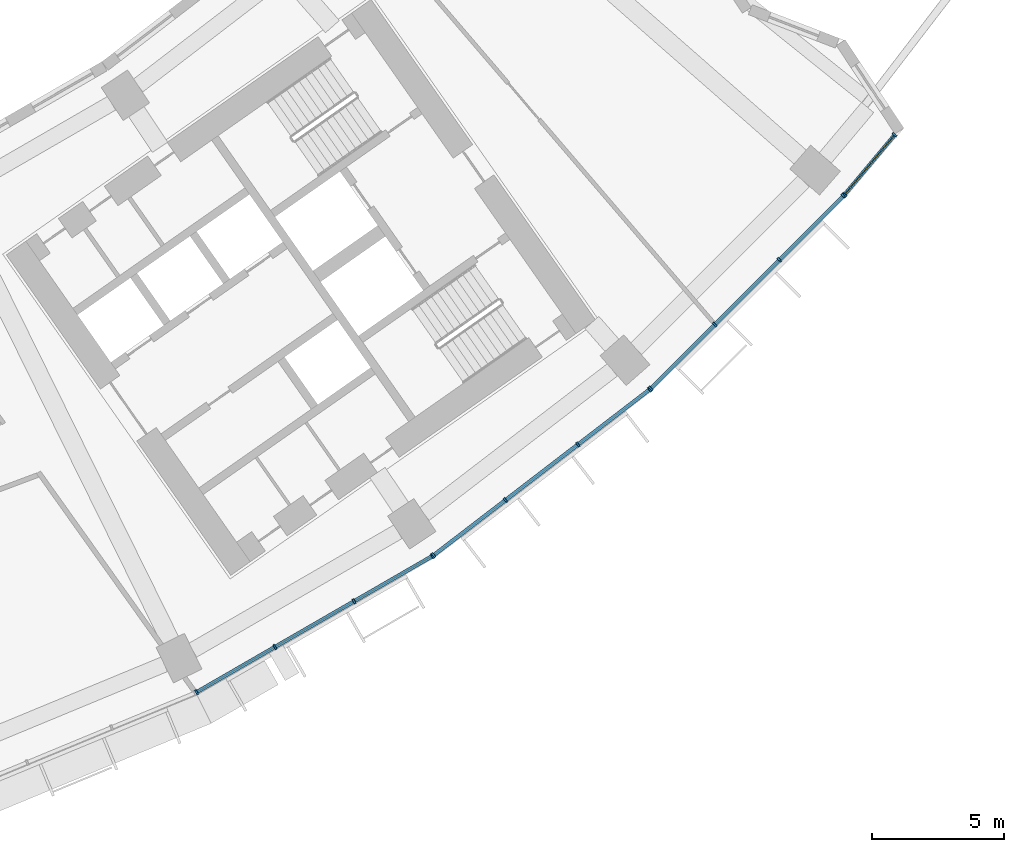
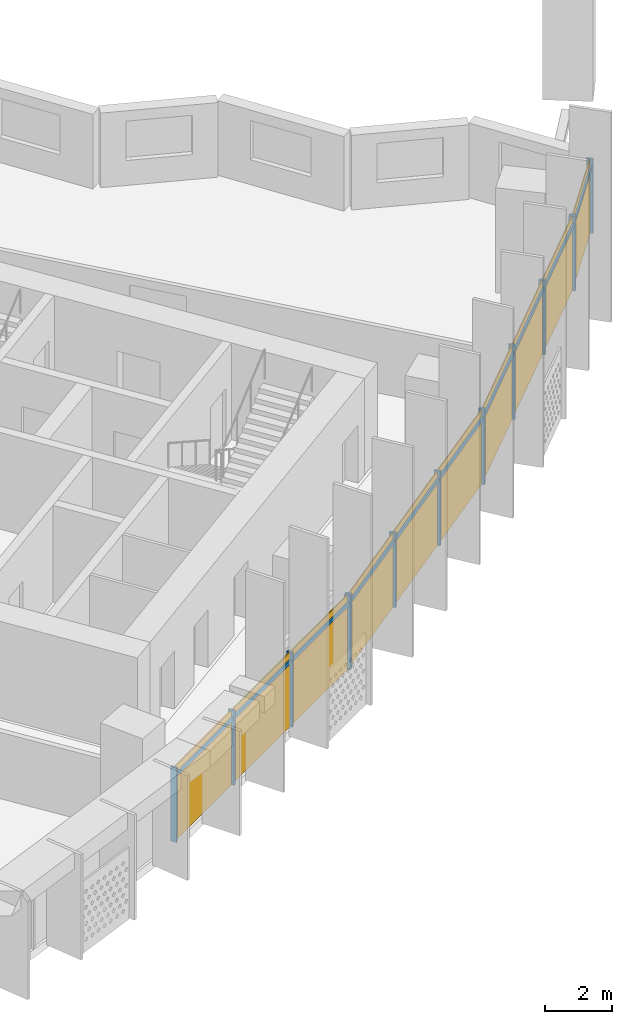
# One storey, part 21 of 29: 24 members, 4 curtain walls.
"""IFC4 building model written with IfcOpenShell, lengths in metres."""

import ifcopenshell
import ifcopenshell.guid

model = None  # the IFC model being written
_history = None  # IfcOwnerHistory: only IFC2X3 demands one
_inside = {}  # id of a spatial element -> (the spatial element, [elements in it])
_under = {}  # id of a project, library or spatial element -> (it, [spatial elements below it])
_declared = {}  # id of a project -> (the project, [libraries it declares])
_typed = {}  # id of a type object -> (the type object, [elements of that type])
_made_of = {}  # id of a material, layer set ... -> (it, [elements and type objects made of it])


def new_model(schema):
    """Start an empty IFC model of exactly this schema.

    Asked for "IFC4X3", IfcOpenShell would pick the latest addendum, in which some entities
    have other attributes; the version numbers below select the first issue.
    IFC2X3 requires an IfcOwnerHistory on every rooted entity: one is made here for all.
    """
    global model, _history
    if schema == "IFC4X3":
        model = ifcopenshell.file(schema_version=(4, 3, 0, 0))
    else:
        model = ifcopenshell.file(schema=schema)
    _inside.clear()
    _under.clear()
    _declared.clear()
    _typed.clear()
    _made_of.clear()
    _history = None
    if model.schema == "IFC2X3":
        org = make("IfcOrganization", Name="unknown")
        user = make(
            "IfcPersonAndOrganization",
            ThePerson=make("IfcPerson", FamilyName="unknown"),
            TheOrganization=org,
        )
        app = make(
            "IfcApplication",
            ApplicationDeveloper=org,
            Version="unknown",
            ApplicationFullName="unknown",
            ApplicationIdentifier="unknown",
        )
        _history = make(
            "IfcOwnerHistory",
            OwningUser=user,
            OwningApplication=app,
            ChangeAction="ADDED",
            CreationDate=0,
        )
    return model


def make(cls, **values):
    """One entity of the class cls with the attributes given. An attribute that is None is left unset."""
    return model.create_entity(
        cls, **{name: value for name, value in values.items() if value is not None}
    )


def rooted(cls, **values):
    """An entity with a GlobalId (a new one), such as an element, a storey or a relation."""
    return make(cls, GlobalId=ifcopenshell.guid.new(), OwnerHistory=_history, **values)


def si_unit(unit_type, name, prefix=None):
    """IfcSIUnit, for example si_unit("LENGTHUNIT", "METRE", prefix="MILLI")."""
    return make("IfcSIUnit", UnitType=unit_type, Prefix=prefix, Name=name)


def assignment(units):
    """IfcUnitAssignment: the units of a project."""
    return None if units is None else make("IfcUnitAssignment", Units=units)


def point(xyz):
    """IfcCartesianPoint."""
    return None if xyz is None else make("IfcCartesianPoint", Coordinates=xyz)


def direction(xyz):
    """IfcDirection."""
    return None if xyz is None else make("IfcDirection", DirectionRatios=xyz)


def frame(location, z_axis=None, x_axis=None):
    """IfcAxis2Placement3D, a coordinate frame: its origin and axes. An axis left out is left unset."""
    return make(
        "IfcAxis2Placement3D",
        Location=point(location),
        Axis=direction(z_axis),
        RefDirection=direction(x_axis),
    )


def frame_2d(location, x_axis=None):
    """IfcAxis2Placement2D, a coordinate frame in the plane: its origin and x axis."""
    return make(
        "IfcAxis2Placement2D", Location=point(location), RefDirection=direction(x_axis)
    )


def origin():
    """The frame at (0, 0, 0) with its axes left unset."""
    return frame((0.0, 0.0, 0.0))


def origin_2d():
    """The frame at (0, 0) in the plane with its x axis left unset."""
    return frame_2d((0.0, 0.0))


def place(relative_to, where):
    """IfcLocalPlacement: puts the frame where relative to a parent placement (None: the world)."""
    return make(
        "IfcLocalPlacement", PlacementRelTo=relative_to, RelativePlacement=where
    )


def context(
    kind, dimensions, precision=None, world=None, true_north=None, identifier=None
):
    """IfcGeometricRepresentationContext, for example the 3D "Model" context."""
    return make(
        "IfcGeometricRepresentationContext",
        ContextIdentifier=identifier,
        ContextType=kind,
        CoordinateSpaceDimension=dimensions,
        Precision=precision,
        WorldCoordinateSystem=world,
        TrueNorth=true_north,
    )


def subcontext(parent, identifier, kind, view, scale=None):
    """IfcGeometricRepresentationSubContext, for example "Body" below "Model"."""
    return make(
        "IfcGeometricRepresentationSubContext",
        ContextIdentifier=identifier,
        ContextType=kind,
        ParentContext=parent,
        TargetScale=scale,
        TargetView=view,
    )


def project(units=None, contexts=None):
    """IfcProject with its units and contexts."""
    return rooted(
        "IfcProject",
        Name="project",
        RepresentationContexts=contexts,
        UnitsInContext=assignment(units),
    )


def spatial(cls, under=None, at=None, **own):
    """A site, building, storey or space (cls), placed at a placement, below another one or the project."""
    s = rooted(cls, ObjectPlacement=at, **own)
    if under is not None:
        _under.setdefault(under.id(), (under, []))[1].append(s)
    return s


def profile(cls, at=None, kind="AREA", **sizes):
    """A parametric profile (cls). Its sizes go by their IFC names, for example OverallWidth=200.0."""
    return make(cls, ProfileType=kind, Position=at, **sizes)


def rectangle(**sizes):
    """IfcRectangleProfileDef."""
    return profile("IfcRectangleProfileDef", **sizes)


def extrude(swept, where, along, depth):
    """IfcExtrudedAreaSolid: the profile swept, set in the frame where, extruded along a direction by depth."""
    return make(
        "IfcExtrudedAreaSolid",
        SweptArea=swept,
        Position=where,
        ExtrudedDirection=direction(along),
        Depth=depth,
    )


def shape(context_of_items, identifier, shape_type, items):
    """IfcShapeRepresentation: the items that make up one representation, for example the "Body"."""
    return make(
        "IfcShapeRepresentation",
        ContextOfItems=context_of_items,
        RepresentationIdentifier=identifier,
        RepresentationType=shape_type,
        Items=items,
    )


def material(Name=None, Category=None):
    """IfcMaterial."""
    return make("IfcMaterial", Name=Name, Category=Category)


def material_profile(
    of_material, cross_section, Name=None, Category=None, Priority=None
):
    """IfcMaterialProfile: a cross section and its material."""
    return make(
        "IfcMaterialProfile",
        Name=Name,
        Material=of_material,
        Profile=cross_section,
        Priority=Priority,
        Category=Category,
    )


def profile_set(profiles, Name=None, composite=None):
    """IfcMaterialProfileSet."""
    return make(
        "IfcMaterialProfileSet",
        Name=Name,
        MaterialProfiles=profiles,
        CompositeProfile=composite,
    )


def made_of(thing, what):
    """Note that an element or type object is made of a material, layer set ...; save() writes the relation."""
    if what is not None:
        _made_of.setdefault(what.id(), (what, []))[1].append(thing)
    return thing


def type_object(cls, material=None, **own):
    """A type object (cls), such as IfcWallType, which elements share."""
    return made_of(rooted(cls, **own), material)


def element(
    cls,
    number,
    at=None,
    inside=None,
    cuts=None,
    type_object=None,
    material=None,
    context=None,
    identifier="Body",
    shape_type=None,
    held_by="IfcProductDefinitionShape",
    body=None,
    shapes=None,
    **own,
):
    """One element of the class cls, such as IfcWall. Its Tag is "e" and its number.

    at: its placement. inside: the storey or other place that contains it. cuts: it is an
    opening in that element (IfcRelVoidsElement). A single representation is given by context,
    identifier, shape_type and body (its items); several are given by shapes. held_by: the class
    of the entity that holds the representations. save() writes the other relations.
    """
    e = rooted(cls, Tag="e%d" % number, ObjectPlacement=at, **own)
    if body is not None:
        shapes = [shape(context, identifier, shape_type, body)]
    if shapes is not None:
        e.Representation = make(held_by, Representations=shapes)
    if inside is not None:
        _inside.setdefault(inside.id(), (inside, []))[1].append(e)
    if cuts is not None:
        rooted(
            "IfcRelVoidsElement", RelatingBuildingElement=cuts, RelatedOpeningElement=e
        )
    if type_object is not None:
        _typed.setdefault(type_object.id(), (type_object, []))[1].append(e)
    return made_of(e, material)


def aggregate(whole, parts):
    """IfcRelAggregates: a whole, such as a stair, and the parts it consists of."""
    return rooted("IfcRelAggregates", RelatingObject=whole, RelatedObjects=parts)


def save(model, path):
    """Write the relations noted so far, then the file.

    IfcRelAggregates (storeys below a building ...), IfcRelContainedInSpatialStructure (elements
    in a storey), IfcRelDefinesByType, IfcRelAssociatesMaterial and IfcRelDeclares: one each for
    every whole, place, type object, material and project.
    """
    for whole, parts in _under.values():
        aggregate(whole, parts)
    for where, things in _inside.values():
        rooted(
            "IfcRelContainedInSpatialStructure",
            RelatedElements=things,
            RelatingStructure=where,
        )
    for kind, things in _typed.values():
        rooted("IfcRelDefinesByType", RelatedObjects=things, RelatingType=kind)
    for what, things in _made_of.values():
        rooted("IfcRelAssociatesMaterial", RelatedObjects=things, RelatingMaterial=what)
    for by, libraries in _declared.values():
        rooted("IfcRelDeclares", RelatingContext=by, RelatedDefinitions=libraries)
    model.write(path)


model = new_model("IFC4")

# Units and contexts
model_context = context("Model", 3, precision=1e-05, world=origin(), true_north=direction((0.0, 1.0)))
body_context = subcontext(model_context, "Body", "Model", "MODEL_VIEW")
ifc_project = project(units=[si_unit("LENGTHUNIT", "METRE"), si_unit("AREAUNIT", "SQUARE_METRE"), si_unit("VOLUMEUNIT", "CUBIC_METRE"), si_unit("PLANEANGLEUNIT", "RADIAN"), si_unit("MASSUNIT", "GRAM", prefix="KILO")], contexts=[model_context])

# Member
ifc_material = material(Name="Aluminium 6063-T6 anodised", Category="aluminium")
ifc_material_profile_1 = material_profile(ifc_material, rectangle(XDim=0.199951171875, YDim=0.070068359375, at=origin_2d()))
ifc_profile_set_1 = profile_set([ifc_material_profile_1], Name="Aluminium 6063-T6 anodised")
member_type_1 = type_object("IfcMemberType", Name="Mullion 70 x 200 aluminium", PredefinedType="MULLION", material=ifc_profile_set_1)
site_placement = place(None, origin())
building_placement = place(site_placement, origin())
storey_placement = place(building_placement, frame((0.0, 0.0, 132.89990234375)))
member_1_placement = place(storey_placement, frame((35.0537109375, -71.017822265625, 0.0), z_axis=(0.0, 0.0, 1.0), x_axis=(-0.5, 0.866025403784, 0.0)))
member_1 = element("IfcMember", 1, at=member_1_placement, type_object=member_type_1, Name="e-cw1-L30-out13/M00", PredefinedType="MULLION", context=body_context, shape_type="SweptSolid", body=[
    extrude(rectangle(XDim=0.199951171875, YDim=0.070068359375, at=origin_2d()), origin(), (0.0, 0.0, 1.0), 2.7001953125),
])

member_2_placement = place(storey_placement, frame((38.017822265625, -69.306640625, 0.0), z_axis=(0.0, 0.0, 1.0), x_axis=(-0.5, 0.866025403784, 0.0)))
member_2 = element("IfcMember", 2, at=member_2_placement, type_object=member_type_1, Name="e-cw1-L30-out13/M01", PredefinedType="MULLION", context=body_context, shape_type="SweptSolid", body=[
    extrude(rectangle(XDim=0.199951171875, YDim=0.070068359375, at=origin_2d()), origin(), (0.0, 0.0, 1.0), 2.7001953125),
])

member_3_placement = place(storey_placement, frame((41.01220703125, -67.577880859375, 0.0), z_axis=(0.0, 0.0, 1.0), x_axis=(-0.5, 0.866025403784, 0.0)))
member_3 = element("IfcMember", 3, at=member_3_placement, type_object=member_type_1, Name="e-cw1-L30-out13/M02", PredefinedType="MULLION", context=body_context, shape_type="SweptSolid", body=[
    extrude(rectangle(XDim=0.199951171875, YDim=0.070068359375, at=origin_2d()), origin(), (0.0, 0.0, 1.0), 2.7001953125),
])

member_4_placement = place(storey_placement, frame((43.976318359375, -65.866455078125, 0.0), z_axis=(0.0, 0.0, 1.0), x_axis=(-0.5, 0.866025403784, 0.0)))
member_4 = element("IfcMember", 4, at=member_4_placement, type_object=member_type_1, Name="e-cw1-L30-out13/M03", PredefinedType="MULLION", context=body_context, shape_type="SweptSolid", body=[
    extrude(rectangle(XDim=0.199951171875, YDim=0.070068359375, at=origin_2d()), origin(), (0.0, 0.0, 1.0), 2.7001953125),
])

member_5_placement = place(storey_placement, frame((44.023681640625, -65.8349609375, 0.0), z_axis=(0.0, 0.0, 1.0), x_axis=(-0.608761429009, 0.793353340291, 0.0)))
member_5 = element("IfcMember", 5, at=member_5_placement, type_object=member_type_1, Name="e-cw1-L30-out14/M00", PredefinedType="MULLION", context=body_context, shape_type="SweptSolid", body=[
    extrude(rectangle(XDim=0.199951171875, YDim=0.070068359375, at=origin_2d()), origin(), (0.0, 0.0, 1.0), 2.7001953125),
])

member_6_placement = place(storey_placement, frame((46.739013671875, -63.751220703125, 0.0), z_axis=(0.0, 0.0, 1.0), x_axis=(-0.608761429009, 0.793353340291, 0.0)))
member_6 = element("IfcMember", 6, at=member_6_placement, type_object=member_type_1, Name="e-cw1-L30-out14/M01", PredefinedType="MULLION", context=body_context, shape_type="SweptSolid", body=[
    extrude(rectangle(XDim=0.199951171875, YDim=0.070068359375, at=origin_2d()), origin(), (0.0, 0.0, 1.0), 2.7001953125),
])

member_7_placement = place(storey_placement, frame((49.482177734375, -61.646484375, 0.0), z_axis=(0.0, 0.0, 1.0), x_axis=(-0.608761429009, 0.793353340291, 0.0)))
member_7 = element("IfcMember", 7, at=member_7_placement, type_object=member_type_1, Name="e-cw1-L30-out14/M02", PredefinedType="MULLION", context=body_context, shape_type="SweptSolid", body=[
    extrude(rectangle(XDim=0.199951171875, YDim=0.070068359375, at=origin_2d()), origin(), (0.0, 0.0, 1.0), 2.7001953125),
])

member_8_placement = place(storey_placement, frame((52.197509765625, -59.56298828125, 0.0), z_axis=(0.0, 0.0, 1.0), x_axis=(-0.608761429009, 0.793353340291, 0.0)))
member_8 = element("IfcMember", 8, at=member_8_placement, type_object=member_type_1, Name="e-cw1-L30-out14/M03", PredefinedType="MULLION", context=body_context, shape_type="SweptSolid", body=[
    extrude(rectangle(XDim=0.199951171875, YDim=0.070068359375, at=origin_2d()), origin(), (0.0, 0.0, 1.0), 2.7001953125),
])

member_9_placement = place(storey_placement, frame((52.240234375, -59.525390625, 0.0), z_axis=(0.0, 0.0, 1.0), x_axis=(-0.707106781187, 0.707106781187, 0.0)))
member_9 = element("IfcMember", 9, at=member_9_placement, type_object=member_type_1, Name="e-cw1-L30-out15/M00", PredefinedType="MULLION", context=body_context, shape_type="SweptSolid", body=[
    extrude(rectangle(XDim=0.199951171875, YDim=0.070068359375, at=origin_2d()), origin(), (0.0, 0.0, 1.0), 2.7001953125),
])

member_10_placement = place(storey_placement, frame((54.660400390625, -57.105224609375, 0.0), z_axis=(0.0, 0.0, 1.0), x_axis=(-0.707106781187, 0.707106781187, 0.0)))
member_10 = element("IfcMember", 10, at=member_10_placement, type_object=member_type_1, Name="e-cw1-L30-out15/M01", PredefinedType="MULLION", context=body_context, shape_type="SweptSolid", body=[
    extrude(rectangle(XDim=0.199951171875, YDim=0.070068359375, at=origin_2d()), origin(), (0.0, 0.0, 1.0), 2.7001953125),
])

member_11_placement = place(storey_placement, frame((57.105224609375, -54.660400390625, 0.0), z_axis=(0.0, 0.0, 1.0), x_axis=(-0.707106781187, 0.707106781187, 0.0)))
member_11 = element("IfcMember", 11, at=member_11_placement, type_object=member_type_1, Name="e-cw1-L30-out15/M02", PredefinedType="MULLION", context=body_context, shape_type="SweptSolid", body=[
    extrude(rectangle(XDim=0.199951171875, YDim=0.070068359375, at=origin_2d()), origin(), (0.0, 0.0, 1.0), 2.7001953125),
])

member_12_placement = place(storey_placement, frame((59.525390625, -52.240234375, 0.0), z_axis=(0.0, 0.0, 1.0), x_axis=(-0.707106781187, 0.707106781187, 0.0)))
member_12 = element("IfcMember", 12, at=member_12_placement, type_object=member_type_1, Name="e-cw1-L30-out15/M03", PredefinedType="MULLION", context=body_context, shape_type="SweptSolid", body=[
    extrude(rectangle(XDim=0.199951171875, YDim=0.070068359375, at=origin_2d()), origin(), (0.0, 0.0, 1.0), 2.7001953125),
])

member_13_placement = place(storey_placement, frame((59.56689453125, -52.195068359375, 0.0), z_axis=(0.0, 0.0, 1.0), x_axis=(-0.765841780173, 0.643029056685, 0.0)))
member_13 = element("IfcMember", 13, at=member_13_placement, type_object=member_type_1, Name="e-cw1-L30-out16/M00", PredefinedType="MULLION", context=body_context, shape_type="SweptSolid", body=[
    extrude(rectangle(XDim=0.199951171875, YDim=0.070068359375, at=origin_2d()), origin(), (0.0, 0.0, 1.0), 2.7001953125),
])

member_14_placement = place(storey_placement, frame((61.466796875, -49.93212890625, 0.0), z_axis=(0.0, 0.0, 1.0), x_axis=(-0.765841780173, 0.643029056685, 0.0)))
member_14 = element("IfcMember", 14, at=member_14_placement, type_object=member_type_1, Name="e-cw1-L30-out16/M01", PredefinedType="MULLION", context=body_context, shape_type="SweptSolid", body=[
    extrude(rectangle(XDim=0.199951171875, YDim=0.070068359375, at=origin_2d()), origin(), (0.0, 0.0, 1.0), 2.7001953125),
])

ifc_material_profile_2 = material_profile(ifc_material, rectangle(XDim=0.139892578125, YDim=0.1201171875, at=origin_2d()))
ifc_profile_set_2 = profile_set([ifc_material_profile_2], Name="Aluminium 6063-T6 anodised")
member_type_2 = type_object("IfcMemberType", Name="Transom 120 x 140 aluminium", PredefinedType="USERDEFINED", material=ifc_profile_set_2)
member_15_placement = place(storey_placement, frame((35.084228515625, -71.00048828125, 2.400146484375), z_axis=(0.865989120267, 0.50006283963, 0.0), x_axis=(-0.50006283963, 0.865989120267, 0.0)))
member_15 = element("IfcMember", 15, at=member_15_placement, type_object=member_type_2, Name="e-cw1-L30-out13/T00", ObjectType="TRANSOM", PredefinedType="USERDEFINED", context=body_context, shape_type="SweptSolid", body=[
    extrude(rectangle(XDim=0.139892578125, YDim=0.1201171875, at=origin_2d()), origin(), (0.0, 0.0, 1.0), 3.3525390625),
])

member_16_placement = place(storey_placement, frame((38.048095703125, -69.2890625, 2.400146484375), z_axis=(0.866025971257, 0.499999017107, 0.0), x_axis=(-0.499999017107, 0.866025971257, 0.0)))
member_16 = element("IfcMember", 16, at=member_16_placement, type_object=member_type_2, Name="e-cw1-L30-out13/T01", ObjectType="TRANSOM", PredefinedType="USERDEFINED", context=body_context, shape_type="SweptSolid", body=[
    extrude(rectangle(XDim=0.139892578125, YDim=0.1201171875, at=origin_2d()), origin(), (0.0, 0.0, 1.0), 3.3876953125),
])

member_17_placement = place(storey_placement, frame((41.042724609375, -67.560302734375, 2.400146484375), z_axis=(0.866020654818, 0.50000822536, 0.0), x_axis=(-0.50000822536, 0.866020654818, 0.0)))
member_17 = element("IfcMember", 17, at=member_17_placement, type_object=member_type_2, Name="e-cw1-L30-out13/T02", ObjectType="TRANSOM", PredefinedType="USERDEFINED", context=body_context, shape_type="SweptSolid", body=[
    extrude(rectangle(XDim=0.139892578125, YDim=0.1201171875, at=origin_2d()), origin(), (0.0, 0.0, 1.0), 3.3525390625),
])

member_18_placement = place(storey_placement, frame((44.05126953125, -65.8134765625, 2.400146484375), z_axis=(0.793389477316, 0.608714331426, 0.0), x_axis=(-0.608714331426, 0.793389477316, 0.0)))
member_18 = element("IfcMember", 18, at=member_18_placement, type_object=member_type_2, Name="e-cw1-L30-out14/T00", ObjectType="TRANSOM", PredefinedType="USERDEFINED", context=body_context, shape_type="SweptSolid", body=[
    extrude(rectangle(XDim=0.139892578125, YDim=0.1201171875, at=origin_2d()), origin(), (0.0, 0.0, 1.0), 3.3525390625),
])

member_19_placement = place(storey_placement, frame((46.766845703125, -63.72998046875, 2.400146484375), z_axis=(0.793344133173, 0.608773427772, 0.0), x_axis=(-0.608773427772, 0.793344133173, 0.0)))
member_19 = element("IfcMember", 19, at=member_19_placement, type_object=member_type_2, Name="e-cw1-L30-out14/T01", ObjectType="TRANSOM", PredefinedType="USERDEFINED", context=body_context, shape_type="SweptSolid", body=[
    extrude(rectangle(XDim=0.139892578125, YDim=0.1201171875, at=origin_2d()), origin(), (0.0, 0.0, 1.0), 3.387451171875),
])

member_20_placement = place(storey_placement, frame((49.509765625, -61.625244140625, 2.400146484375), z_axis=(0.793354308621, 0.608760167055, 0.0), x_axis=(-0.608760167055, 0.793354308621, 0.0)))
member_20 = element("IfcMember", 20, at=member_20_placement, type_object=member_type_2, Name="e-cw1-L30-out14/T02", ObjectType="TRANSOM", PredefinedType="USERDEFINED", context=body_context, shape_type="SweptSolid", body=[
    extrude(rectangle(XDim=0.139892578125, YDim=0.1201171875, at=origin_2d()), origin(), (0.0, 0.0, 1.0), 3.352783203125),
])

member_21_placement = place(storey_placement, frame((52.264892578125, -59.500732421875, 2.400146484375), z_axis=(0.707106781187, 0.707106781187, 0.0), x_axis=(-0.707106781187, 0.707106781187, 0.0)))
member_21 = element("IfcMember", 21, at=member_21_placement, type_object=member_type_2, Name="e-cw1-L30-out15/T00", ObjectType="TRANSOM", PredefinedType="USERDEFINED", context=body_context, shape_type="SweptSolid", body=[
    extrude(rectangle(XDim=0.139892578125, YDim=0.1201171875, at=origin_2d()), origin(), (0.0, 0.0, 1.0), 3.3525390625),
])

member_22_placement = place(storey_placement, frame((54.68505859375, -57.08056640625, 2.400146484375), z_axis=(0.707106781187, 0.707106781187, 0.0), x_axis=(-0.707106781187, 0.707106781187, 0.0)))
member_22 = element("IfcMember", 22, at=member_22_placement, type_object=member_type_2, Name="e-cw1-L30-out15/T01", ObjectType="TRANSOM", PredefinedType="USERDEFINED", context=body_context, shape_type="SweptSolid", body=[
    extrude(rectangle(XDim=0.139892578125, YDim=0.1201171875, at=origin_2d()), origin(), (0.0, 0.0, 1.0), 3.3876953125),
])

member_23_placement = place(storey_placement, frame((57.130126953125, -54.635498046875, 2.400146484375), z_axis=(0.707106781187, 0.707106781187, 0.0), x_axis=(-0.707106781187, 0.707106781187, 0.0)))
member_23 = element("IfcMember", 23, at=member_23_placement, type_object=member_type_2, Name="e-cw1-L30-out15/T02", ObjectType="TRANSOM", PredefinedType="USERDEFINED", context=body_context, shape_type="SweptSolid", body=[
    extrude(rectangle(XDim=0.139892578125, YDim=0.1201171875, at=origin_2d()), origin(), (0.0, 0.0, 1.0), 3.3525390625),
])

member_24_placement = place(storey_placement, frame((59.58935546875, -52.168212890625, 2.400146484375), z_axis=(0.643035273174, 0.765836560536, 0.0), x_axis=(-0.765836560536, 0.643035273174, 0.0)))
member_24 = element("IfcMember", 24, at=member_24_placement, type_object=member_type_2, Name="e-cw1-L30-out16/T00", ObjectType="TRANSOM", PredefinedType="USERDEFINED", context=body_context, shape_type="SweptSolid", body=[
    extrude(rectangle(XDim=0.139892578125, YDim=0.1201171875, at=origin_2d()), origin(), (0.0, 0.0, 1.0), 2.884765625),
])

# Site, building, storey
site = spatial("IfcSite", under=ifc_project, at=site_placement, CompositionType="ELEMENT")
building = spatial("IfcBuilding", under=site, at=building_placement, Name="Qamariyya Broadcast Tower", CompositionType="ELEMENT")
storey = spatial("IfcBuildingStorey", under=building, at=storey_placement, Name="L30", CompositionType="ELEMENT", Elevation=132.89990234375)

# Curtain wall
curtain_wall_type = type_object("IfcCurtainWallType", Name="Unitised curtain wall, anodised aluminium", PredefinedType="NOTDEFINED", material=ifc_material)
curtain_wall_1_placement = place(storey_placement, origin())
curtain_wall_1 = element("IfcCurtainWall", 25, at=curtain_wall_1_placement, inside=storey, type_object=curtain_wall_type, Name="e-cw1-L30-out13", PredefinedType="NOTDEFINED", context=body_context, shape_type="SweptSolid", body=[
    extrude(rectangle(XDim=3.352783203125, YDim=0.031982421875, at=origin_2d()), frame((36.535888671875, -70.162109375, 0.0), x_axis=(0.866027243369, 0.499996813733, 0.0)), (0.0, 0.0, 1.0), 2.340087890625),
    extrude(rectangle(XDim=3.352783203125, YDim=0.031982421875, at=origin_2d()), frame((36.535888671875, -70.162109375, 2.460205078125), x_axis=(0.866027243369, 0.499996813733, 0.0)), (0.0, 0.0, 1.0), 0.239990234375),
    extrude(rectangle(XDim=3.3876953125, YDim=0.031982421875, at=origin_2d()), frame((39.51513671875, -68.442138671875, 0.0), x_axis=(0.866027243369, 0.499996813733, 0.0)), (0.0, 0.0, 1.0), 2.340087890625),
    extrude(rectangle(XDim=3.3876953125, YDim=0.031982421875, at=origin_2d()), frame((39.51513671875, -68.442138671875, 2.460205078125), x_axis=(0.866027243369, 0.499996813733, 0.0)), (0.0, 0.0, 1.0), 0.239990234375),
    extrude(rectangle(XDim=3.352783203125, YDim=0.031982421875, at=origin_2d()), frame((42.494384765625, -66.72216796875, 0.0), x_axis=(0.866027243369, 0.499996813733, 0.0)), (0.0, 0.0, 1.0), 2.340087890625),
    extrude(rectangle(XDim=3.352783203125, YDim=0.031982421875, at=origin_2d()), frame((42.494384765625, -66.72216796875, 2.460205078125), x_axis=(0.866027243369, 0.499996813733, 0.0)), (0.0, 0.0, 1.0), 0.239990234375),
])

aggregate(curtain_wall_1, [member_1, member_2, member_3, member_4, member_15, member_16, member_17])

curtain_wall_2_placement = place(storey_placement, origin())
curtain_wall_2 = element("IfcCurtainWall", 26, at=curtain_wall_2_placement, inside=storey, type_object=curtain_wall_type, Name="e-cw1-L30-out14", PredefinedType="NOTDEFINED", context=body_context, shape_type="SweptSolid", body=[
    extrude(rectangle(XDim=3.352783203125, YDim=0.031982421875, at=origin_2d()), frame((45.38134765625, -64.793212890625, 0.0), x_axis=(0.793354000839, 0.608760568165, 0.0)), (0.0, 0.0, 1.0), 2.340087890625),
    extrude(rectangle(XDim=3.352783203125, YDim=0.031982421875, at=origin_2d()), frame((45.38134765625, -64.793212890625, 2.460205078125), x_axis=(0.793354000839, 0.608760568165, 0.0)), (0.0, 0.0, 1.0), 0.239990234375),
    extrude(rectangle(XDim=3.3876953125, YDim=0.031982421875, at=origin_2d()), frame((48.110595703125, -62.69873046875, 0.0), x_axis=(0.793354000839, 0.608760568165, 0.0)), (0.0, 0.0, 1.0), 2.340087890625),
    extrude(rectangle(XDim=3.3876953125, YDim=0.031982421875, at=origin_2d()), frame((48.110595703125, -62.69873046875, 2.460205078125), x_axis=(0.793354000839, 0.608760568165, 0.0)), (0.0, 0.0, 1.0), 0.239990234375),
    extrude(rectangle(XDim=3.352783203125, YDim=0.031982421875, at=origin_2d()), frame((50.83984375, -60.6044921875, 0.0), x_axis=(0.793354000839, 0.608760568165, 0.0)), (0.0, 0.0, 1.0), 2.340087890625),
    extrude(rectangle(XDim=3.352783203125, YDim=0.031982421875, at=origin_2d()), frame((50.83984375, -60.6044921875, 2.460205078125), x_axis=(0.793354000839, 0.608760568165, 0.0)), (0.0, 0.0, 1.0), 0.239990234375),
])

aggregate(curtain_wall_2, [member_5, member_6, member_7, member_8, member_18, member_19, member_20])

curtain_wall_3_placement = place(storey_placement, origin())
curtain_wall_3 = element("IfcCurtainWall", 27, at=curtain_wall_3_placement, inside=storey, type_object=curtain_wall_type, Name="e-cw1-L30-out15", PredefinedType="NOTDEFINED", context=body_context, shape_type="SweptSolid", body=[
    extrude(rectangle(XDim=3.352783203125, YDim=0.031982421875, at=origin_2d()), frame((53.4501953125, -58.3154296875, 0.0), x_axis=(0.707106781187, 0.707106781187, 0.0)), (0.0, 0.0, 1.0), 2.340087890625),
    extrude(rectangle(XDim=3.352783203125, YDim=0.031982421875, at=origin_2d()), frame((53.4501953125, -58.3154296875, 2.460205078125), x_axis=(0.707106781187, 0.707106781187, 0.0)), (0.0, 0.0, 1.0), 0.239990234375),
    extrude(rectangle(XDim=3.3876953125, YDim=0.031982421875, at=origin_2d()), frame((55.8828125, -55.8828125, 0.0), x_axis=(0.707106781187, 0.707106781187, 0.0)), (0.0, 0.0, 1.0), 2.340087890625),
    extrude(rectangle(XDim=3.3876953125, YDim=0.031982421875, at=origin_2d()), frame((55.8828125, -55.8828125, 2.460205078125), x_axis=(0.707106781187, 0.707106781187, 0.0)), (0.0, 0.0, 1.0), 0.239990234375),
    extrude(rectangle(XDim=3.352783203125, YDim=0.031982421875, at=origin_2d()), frame((58.3154296875, -53.4501953125, 0.0), x_axis=(0.707106781187, 0.707106781187, 0.0)), (0.0, 0.0, 1.0), 2.340087890625),
    extrude(rectangle(XDim=3.352783203125, YDim=0.031982421875, at=origin_2d()), frame((58.3154296875, -53.4501953125, 2.460205078125), x_axis=(0.707106781187, 0.707106781187, 0.0)), (0.0, 0.0, 1.0), 0.239990234375),
])

aggregate(curtain_wall_3, [member_9, member_10, member_11, member_12, member_21, member_22, member_23])

curtain_wall_4_placement = place(storey_placement, origin())
curtain_wall_4 = element("IfcCurtainWall", 28, at=curtain_wall_4_placement, inside=storey, type_object=curtain_wall_type, Name="e-cw1-L30-out16", PredefinedType="NOTDEFINED", context=body_context, shape_type="SweptSolid", body=[
    extrude(rectangle(XDim=2.885009765625, YDim=0.031982421875, at=origin_2d()), frame((60.51708984375, -51.0634765625, 0.0), x_axis=(0.643014144308, 0.765854300908, 0.0)), (0.0, 0.0, 1.0), 2.340087890625),
    extrude(rectangle(XDim=2.885009765625, YDim=0.031982421875, at=origin_2d()), frame((60.51708984375, -51.0634765625, 2.460205078125), x_axis=(0.643014144308, 0.765854300908, 0.0)), (0.0, 0.0, 1.0), 0.239990234375),
])

aggregate(curtain_wall_4, [member_13, member_14, member_24])

save(model, "model.ifc")
